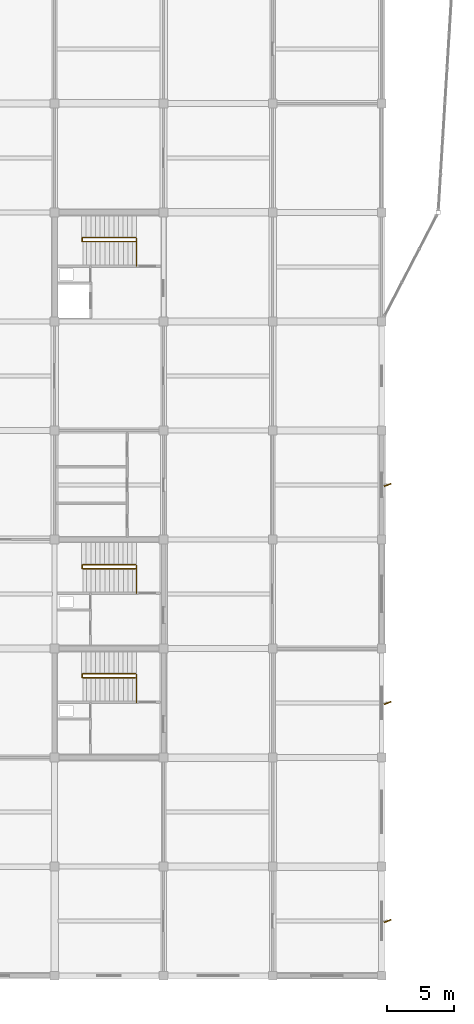
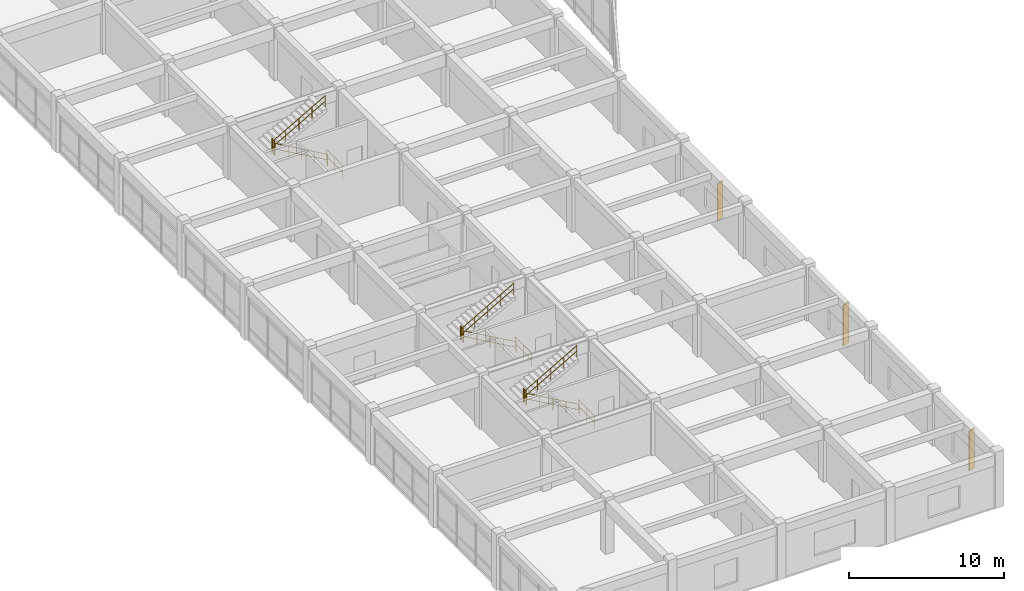
# One storey, part 39 of 40: 12 railings, 3 shading devices.
"""IFC4 building model written with IfcOpenShell, lengths in metres."""

from ifc_helpers import new_model, si_unit, direction, frame, origin, origin_2d, place, context, subcontext, project, spatial, rectangle, circle, extrude, material, type_object, element, save


model = new_model("IFC4")

# Units and contexts
model_context = context("Model", 3, precision=1e-05, world=origin(), true_north=direction((0.0, 1.0)))
body_context = subcontext(model_context, "Body", "Model", "MODEL_VIEW")
ifc_project = project(units=[si_unit("LENGTHUNIT", "METRE"), si_unit("AREAUNIT", "SQUARE_METRE"), si_unit("VOLUMEUNIT", "CUBIC_METRE"), si_unit("PLANEANGLEUNIT", "RADIAN"), si_unit("MASSUNIT", "GRAM", prefix="KILO")], contexts=[model_context])

# Site, building, storey
site_placement = place(None, origin())
site = spatial("IfcSite", under=ifc_project, at=site_placement, CompositionType="ELEMENT")
building_placement = place(site_placement, origin())
building = spatial("IfcBuilding", under=site, at=building_placement, Name="Vaudrelin Polytechnic", CompositionType="ELEMENT")
storey_placement = place(building_placement, frame((0.0, 0.0, 22.949951171875)))
storey = spatial("IfcBuildingStorey", under=building, at=storey_placement, Name="L05", CompositionType="ELEMENT", Elevation=22.949951171875)

# Shading devices
ifc_material_1 = material(Name="Anodised perforated aluminium AA 5005", Category="aluminium")
shading_device_type = type_object("IfcShadingDeviceType", Name="ENV-SF-FIN1", PredefinedType="USERDEFINED", material=ifc_material_1)
shading_device_1_placement = place(storey_placement, frame((170.534912109375, 20.25, 0.2001953125), z_axis=(0.0, 0.0, 1.0), x_axis=(0.927183854567, 0.374606593416, 0.0)))
element("IfcShadingDevice", 1, at=shading_device_1_placement, inside=storey, type_object=shading_device_type, Name="Perforated solar fin SF-042", ObjectType="SOLAR FIN", PredefinedType="USERDEFINED", context=body_context, shape_type="SweptSolid", body=[
    extrude(rectangle(XDim=0.550048828125, YDim=0.080078125, at=origin_2d()), origin(), (0.0, 0.0, 1.0), 3.112060546875),
])
shading_device_2_placement = place(storey_placement, frame((170.534912109375, 36.449951171875, 0.2001953125), z_axis=(0.0, 0.0, 1.0), x_axis=(0.927183854567, 0.374606593416, 0.0)))
element("IfcShadingDevice", 2, at=shading_device_2_placement, inside=storey, type_object=shading_device_type, Name="Perforated solar fin SF-043", ObjectType="SOLAR FIN", PredefinedType="USERDEFINED", context=body_context, shape_type="SweptSolid", body=[
    extrude(rectangle(XDim=0.550048828125, YDim=0.080078125, at=origin_2d()), origin(), (0.0, 0.0, 1.0), 3.199951171875),
])
shading_device_3_placement = place(storey_placement, frame((170.534912109375, 52.64990234375, 0.199951171875), z_axis=(0.0, 0.0, 1.0), x_axis=(0.927183854567, 0.374606593416, 0.0)))
element("IfcShadingDevice", 3, at=shading_device_3_placement, inside=storey, type_object=shading_device_type, Name="Perforated solar fin SF-044", ObjectType="SOLAR FIN", PredefinedType="USERDEFINED", context=body_context, shape_type="SweptSolid", body=[
    extrude(rectangle(XDim=0.550048828125, YDim=0.080078125, at=origin_2d()), origin(), (0.0, 0.0, 1.0), 2.912109375),
])

# Railings
ifc_material_2 = material(Name="Brushed stainless steel AISI 304", Category="steel")
railing_type_1 = type_object("IfcRailingType", Name="RAL-GR-INT", PredefinedType="GUARDRAIL", material=ifc_material_2)
railing_1_placement = place(storey_placement, frame((151.8798828125, 68.909912109375, 0.0)))
element("IfcRailing", 4, at=railing_1_placement, inside=storey, type_object=railing_type_1, Name="ST-07-L04 upper well guardrail", PredefinedType="GUARDRAIL", context=body_context, shape_type="SweptSolid", body=[
    extrude(circle(Radius=0.02392578125, at=origin_2d()), frame((0.0, 0.023193359375, 1.09619140625), z_axis=(0.0, 1.0, 0.0), x_axis=(-1.0, 0.0, 0.0)), (0.0, 0.0, 1.0), 2.02392578125),
    extrude(circle(Radius=0.02392578125, at=origin_2d()), frame((0.0, 0.023193359375, 0.56005859375), z_axis=(0.0, 1.0, 0.0), x_axis=(-1.0, 0.0, 0.0)), (0.0, 0.0, 1.0), 2.02392578125),
    extrude(circle(Radius=0.02099609375, at=origin_2d()), origin(), (0.0, 0.0, 1.0), 1.1201171875),
    extrude(circle(Radius=0.02099609375, at=origin_2d()), frame((0.0, 1.03515625, 0.0)), (0.0, 0.0, 1.0), 1.1201171875),
    extrude(circle(Radius=0.02099609375, at=origin_2d()), frame((0.0, 2.070068359375, 0.0)), (0.0, 0.0, 1.0), 1.1201171875),
])
railing_2_placement = place(storey_placement, frame((147.85009765625, 70.739990234375, 2.2099609375)))
element("IfcRailing", 5, at=railing_2_placement, inside=storey, type_object=railing_type_1, Name="ST-07-L05 landing well guardrail", PredefinedType="GUARDRAIL", context=body_context, shape_type="SweptSolid", body=[
    extrude(circle(Radius=0.02392578125, at=origin_2d()), frame((0.0, 0.023193359375, 1.09619140625), z_axis=(0.0, 1.0, 0.0), x_axis=(-1.0, 0.0, 0.0)), (0.0, 0.0, 1.0), 0.23388671875),
    extrude(circle(Radius=0.02392578125, at=origin_2d()), frame((0.0, 0.023193359375, 0.56005859375), z_axis=(0.0, 1.0, 0.0), x_axis=(-1.0, 0.0, 0.0)), (0.0, 0.0, 1.0), 0.23388671875),
    extrude(circle(Radius=0.02099609375, at=origin_2d()), origin(), (0.0, 0.0, 1.0), 1.1201171875),
    extrude(circle(Radius=0.02099609375, at=origin_2d()), frame((0.0, 0.280029296875, 0.0)), (0.0, 0.0, 1.0), 1.1201171875),
])
railing_3_placement = place(storey_placement, frame((151.8798828125, 36.510009765625, 0.0)))
element("IfcRailing", 6, at=railing_3_placement, inside=storey, type_object=railing_type_1, Name="ST-08-L04 upper well guardrail", PredefinedType="GUARDRAIL", context=body_context, shape_type="SweptSolid", body=[
    extrude(circle(Radius=0.02392578125, at=origin_2d()), frame((0.0, 0.023193359375, 1.09619140625), z_axis=(0.0, 1.0, 0.0), x_axis=(-1.0, 0.0, 0.0)), (0.0, 0.0, 1.0), 2.02392578125),
    extrude(circle(Radius=0.02392578125, at=origin_2d()), frame((0.0, 0.023193359375, 0.56005859375), z_axis=(0.0, 1.0, 0.0), x_axis=(-1.0, 0.0, 0.0)), (0.0, 0.0, 1.0), 2.02392578125),
    extrude(circle(Radius=0.02099609375, at=origin_2d()), origin(), (0.0, 0.0, 1.0), 1.1201171875),
    extrude(circle(Radius=0.02099609375, at=origin_2d()), frame((0.0, 1.03515625, 0.0)), (0.0, 0.0, 1.0), 1.1201171875),
    extrude(circle(Radius=0.02099609375, at=origin_2d()), frame((0.0, 2.070068359375, 0.0)), (0.0, 0.0, 1.0), 1.1201171875),
])
railing_4_placement = place(storey_placement, frame((147.85009765625, 38.340087890625, 2.2099609375)))
element("IfcRailing", 7, at=railing_4_placement, inside=storey, type_object=railing_type_1, Name="ST-08-L05 landing well guardrail", PredefinedType="GUARDRAIL", context=body_context, shape_type="SweptSolid", body=[
    extrude(circle(Radius=0.02392578125, at=origin_2d()), frame((0.0, 0.023193359375, 1.09619140625), z_axis=(0.0, 1.0, 0.0), x_axis=(-1.0, 0.0, 0.0)), (0.0, 0.0, 1.0), 0.23388671875),
    extrude(circle(Radius=0.02392578125, at=origin_2d()), frame((0.0, 0.023193359375, 0.56005859375), z_axis=(0.0, 1.0, 0.0), x_axis=(-1.0, 0.0, 0.0)), (0.0, 0.0, 1.0), 0.23388671875),
    extrude(circle(Radius=0.02099609375, at=origin_2d()), origin(), (0.0, 0.0, 1.0), 1.1201171875),
    extrude(circle(Radius=0.02099609375, at=origin_2d()), frame((0.0, 0.280029296875, 0.0)), (0.0, 0.0, 1.0), 1.1201171875),
])
railing_5_placement = place(storey_placement, frame((151.8798828125, 44.610107421875, 0.0)))
element("IfcRailing", 8, at=railing_5_placement, inside=storey, type_object=railing_type_1, Name="ST-12-L04 upper well guardrail", PredefinedType="GUARDRAIL", context=body_context, shape_type="SweptSolid", body=[
    extrude(circle(Radius=0.02392578125, at=origin_2d()), frame((0.0, 0.023193359375, 1.09619140625), z_axis=(0.0, 1.0, 0.0), x_axis=(-1.0, 0.0, 0.0)), (0.0, 0.0, 1.0), 2.023681640625),
    extrude(circle(Radius=0.02392578125, at=origin_2d()), frame((0.0, 0.023193359375, 0.56005859375), z_axis=(0.0, 1.0, 0.0), x_axis=(-1.0, 0.0, 0.0)), (0.0, 0.0, 1.0), 2.023681640625),
    extrude(circle(Radius=0.02099609375, at=origin_2d()), origin(), (0.0, 0.0, 1.0), 1.1201171875),
    extrude(circle(Radius=0.02099609375, at=origin_2d()), frame((0.0, 1.034912109375, 0.0)), (0.0, 0.0, 1.0), 1.1201171875),
    extrude(circle(Radius=0.02099609375, at=origin_2d()), frame((0.0, 2.06982421875, 0.0)), (0.0, 0.0, 1.0), 1.1201171875),
])
railing_6_placement = place(storey_placement, frame((147.85009765625, 46.43994140625, 2.2099609375)))
element("IfcRailing", 9, at=railing_6_placement, inside=storey, type_object=railing_type_1, Name="ST-12-L05 landing well guardrail", PredefinedType="GUARDRAIL", context=body_context, shape_type="SweptSolid", body=[
    extrude(circle(Radius=0.02392578125, at=origin_2d()), frame((0.0, 0.023193359375, 1.09619140625), z_axis=(0.0, 1.0, 0.0), x_axis=(-1.0, 0.0, 0.0)), (0.0, 0.0, 1.0), 0.23388671875),
    extrude(circle(Radius=0.02392578125, at=origin_2d()), frame((0.0, 0.023193359375, 0.56005859375), z_axis=(0.0, 1.0, 0.0), x_axis=(-1.0, 0.0, 0.0)), (0.0, 0.0, 1.0), 0.23388671875),
    extrude(circle(Radius=0.02099609375, at=origin_2d()), origin(), (0.0, 0.0, 1.0), 1.1201171875),
    extrude(circle(Radius=0.02099609375, at=origin_2d()), frame((0.0, 0.280029296875, 0.0)), (0.0, 0.0, 1.0), 1.1201171875),
])
railing_type_2 = type_object("IfcRailingType", Name="RAL-HR-STR", PredefinedType="HANDRAIL", material=ifc_material_2)
railing_7_placement = place(storey_placement, frame((151.800048828125, 70.72998046875, 0.0)))
element("IfcRailing", 10, at=railing_7_placement, inside=storey, type_object=railing_type_2, Name="ST-07-L05 flight 1 handrail", PredefinedType="HANDRAIL", context=body_context, shape_type="SweptSolid", body=[
    extrude(circle(Radius=0.02392578125, at=origin_2d()), frame((-0.02001953125, 0.0, 0.9072265625), z_axis=(-0.869489581884, 0.0, 0.493951279981), x_axis=(0.0, -1.0, 0.0)), (0.0, 0.0, 1.0), 4.427734375),
    extrude(circle(Radius=0.02392578125, at=origin_2d()), frame((-0.02001953125, 0.0, 0.471435546875), z_axis=(-0.869489581884, 0.0, 0.493951279981), x_axis=(0.0, -1.0, 0.0)), (0.0, 0.0, 1.0), 4.427734375),
    extrude(circle(Radius=0.02099609375, at=origin_2d()), origin(), (0.0, 0.0, 1.0), 0.919921875),
    extrude(circle(Radius=0.02099609375, at=origin_2d()), frame((-0.97265625, 0.0, 0.552490234375)), (0.0, 0.0, 1.0), 0.919921875),
    extrude(circle(Radius=0.02099609375, at=origin_2d()), frame((-1.945068359375, 0.0, 1.10498046875)), (0.0, 0.0, 1.0), 0.919921875),
    extrude(circle(Radius=0.02099609375, at=origin_2d()), frame((-2.91748046875, 0.0, 1.657470703125)), (0.0, 0.0, 1.0), 0.919921875),
    extrude(circle(Radius=0.02099609375, at=origin_2d()), frame((-3.89013671875, 0.0, 2.2099609375)), (0.0, 0.0, 1.0), 0.919921875),
])
railing_8_placement = place(storey_placement, frame((147.909912109375, 71.030029296875, 2.2099609375)))
element("IfcRailing", 11, at=railing_8_placement, inside=storey, type_object=railing_type_2, Name="ST-07-L05 flight 2 handrail", PredefinedType="HANDRAIL", context=body_context, shape_type="SweptSolid", body=[
    extrude(circle(Radius=0.02392578125, at=origin_2d()), frame((0.02001953125, 0.0, 0.9072265625), z_axis=(0.86946614529, 0.0, 0.493992532529), x_axis=(0.0, 1.0, 0.0)), (0.0, 0.0, 1.0), 4.427978515625),
    extrude(circle(Radius=0.02392578125, at=origin_2d()), frame((0.02001953125, 0.0, 0.471435546875), z_axis=(0.86946614529, 0.0, 0.493992532529), x_axis=(0.0, 1.0, 0.0)), (0.0, 0.0, 1.0), 4.427978515625),
    extrude(circle(Radius=0.02099609375, at=origin_2d()), origin(), (0.0, 0.0, 1.0), 0.919921875),
    extrude(circle(Radius=0.02099609375, at=origin_2d()), frame((0.97265625, 0.0, 0.552490234375)), (0.0, 0.0, 1.0), 0.919921875),
    extrude(circle(Radius=0.02099609375, at=origin_2d()), frame((1.945068359375, 0.0, 1.10498046875)), (0.0, 0.0, 1.0), 0.919921875),
    extrude(circle(Radius=0.02099609375, at=origin_2d()), frame((2.91748046875, 0.0, 1.65771484375)), (0.0, 0.0, 1.0), 0.919921875),
    extrude(circle(Radius=0.02099609375, at=origin_2d()), frame((3.89013671875, 0.0, 2.210205078125)), (0.0, 0.0, 1.0), 0.919921875),
])
railing_9_placement = place(storey_placement, frame((151.800048828125, 38.330078125, 0.0)))
element("IfcRailing", 12, at=railing_9_placement, inside=storey, type_object=railing_type_2, Name="ST-08-L05 flight 1 handrail", PredefinedType="HANDRAIL", context=body_context, shape_type="SweptSolid", body=[
    extrude(circle(Radius=0.02392578125, at=origin_2d()), frame((-0.02001953125, 0.0, 0.9072265625), z_axis=(-0.869489581884, 0.0, 0.493951279981), x_axis=(0.0, -1.0, 0.0)), (0.0, 0.0, 1.0), 4.427734375),
    extrude(circle(Radius=0.02392578125, at=origin_2d()), frame((-0.02001953125, 0.0, 0.471435546875), z_axis=(-0.869489581884, 0.0, 0.493951279981), x_axis=(0.0, -1.0, 0.0)), (0.0, 0.0, 1.0), 4.427734375),
    extrude(circle(Radius=0.02099609375, at=origin_2d()), origin(), (0.0, 0.0, 1.0), 0.919921875),
    extrude(circle(Radius=0.02099609375, at=origin_2d()), frame((-0.97265625, 0.0, 0.552490234375)), (0.0, 0.0, 1.0), 0.919921875),
    extrude(circle(Radius=0.02099609375, at=origin_2d()), frame((-1.945068359375, 0.0, 1.10498046875)), (0.0, 0.0, 1.0), 0.919921875),
    extrude(circle(Radius=0.02099609375, at=origin_2d()), frame((-2.91748046875, 0.0, 1.657470703125)), (0.0, 0.0, 1.0), 0.919921875),
    extrude(circle(Radius=0.02099609375, at=origin_2d()), frame((-3.89013671875, 0.0, 2.2099609375)), (0.0, 0.0, 1.0), 0.919921875),
])
railing_10_placement = place(storey_placement, frame((147.909912109375, 38.6298828125, 2.2099609375)))
element("IfcRailing", 13, at=railing_10_placement, inside=storey, type_object=railing_type_2, Name="ST-08-L05 flight 2 handrail", PredefinedType="HANDRAIL", context=body_context, shape_type="SweptSolid", body=[
    extrude(circle(Radius=0.02392578125, at=origin_2d()), frame((0.02001953125, 0.0, 0.9072265625), z_axis=(0.86946614529, 0.0, 0.493992532529), x_axis=(0.0, 1.0, 0.0)), (0.0, 0.0, 1.0), 4.427978515625),
    extrude(circle(Radius=0.02392578125, at=origin_2d()), frame((0.02001953125, 0.0, 0.471435546875), z_axis=(0.86946614529, 0.0, 0.493992532529), x_axis=(0.0, 1.0, 0.0)), (0.0, 0.0, 1.0), 4.427978515625),
    extrude(circle(Radius=0.02099609375, at=origin_2d()), origin(), (0.0, 0.0, 1.0), 0.919921875),
    extrude(circle(Radius=0.02099609375, at=origin_2d()), frame((0.97265625, 0.0, 0.552490234375)), (0.0, 0.0, 1.0), 0.919921875),
    extrude(circle(Radius=0.02099609375, at=origin_2d()), frame((1.945068359375, 0.0, 1.10498046875)), (0.0, 0.0, 1.0), 0.919921875),
    extrude(circle(Radius=0.02099609375, at=origin_2d()), frame((2.91748046875, 0.0, 1.65771484375)), (0.0, 0.0, 1.0), 0.919921875),
    extrude(circle(Radius=0.02099609375, at=origin_2d()), frame((3.89013671875, 0.0, 2.210205078125)), (0.0, 0.0, 1.0), 0.919921875),
])
railing_11_placement = place(storey_placement, frame((151.800048828125, 46.429931640625, 0.0)))
element("IfcRailing", 14, at=railing_11_placement, inside=storey, type_object=railing_type_2, Name="ST-12-L05 flight 1 handrail", PredefinedType="HANDRAIL", context=body_context, shape_type="SweptSolid", body=[
    extrude(circle(Radius=0.02392578125, at=origin_2d()), frame((-0.02001953125, 0.0, 0.9072265625), z_axis=(-0.869489581884, 0.0, 0.493951279981), x_axis=(0.0, -1.0, 0.0)), (0.0, 0.0, 1.0), 4.427734375),
    extrude(circle(Radius=0.02392578125, at=origin_2d()), frame((-0.02001953125, 0.0, 0.471435546875), z_axis=(-0.869489581884, 0.0, 0.493951279981), x_axis=(0.0, -1.0, 0.0)), (0.0, 0.0, 1.0), 4.427734375),
    extrude(circle(Radius=0.02099609375, at=origin_2d()), origin(), (0.0, 0.0, 1.0), 0.919921875),
    extrude(circle(Radius=0.02099609375, at=origin_2d()), frame((-0.97265625, 0.0, 0.552490234375)), (0.0, 0.0, 1.0), 0.919921875),
    extrude(circle(Radius=0.02099609375, at=origin_2d()), frame((-1.945068359375, 0.0, 1.10498046875)), (0.0, 0.0, 1.0), 0.919921875),
    extrude(circle(Radius=0.02099609375, at=origin_2d()), frame((-2.91748046875, 0.0, 1.657470703125)), (0.0, 0.0, 1.0), 0.919921875),
    extrude(circle(Radius=0.02099609375, at=origin_2d()), frame((-3.89013671875, 0.0, 2.2099609375)), (0.0, 0.0, 1.0), 0.919921875),
])
railing_12_placement = place(storey_placement, frame((147.909912109375, 46.72998046875, 2.2099609375)))
element("IfcRailing", 15, at=railing_12_placement, inside=storey, type_object=railing_type_2, Name="ST-12-L05 flight 2 handrail", PredefinedType="HANDRAIL", context=body_context, shape_type="SweptSolid", body=[
    extrude(circle(Radius=0.02392578125, at=origin_2d()), frame((0.02001953125, 0.0, 0.9072265625), z_axis=(0.86946614529, 0.0, 0.493992532529), x_axis=(0.0, 1.0, 0.0)), (0.0, 0.0, 1.0), 4.427978515625),
    extrude(circle(Radius=0.02392578125, at=origin_2d()), frame((0.02001953125, 0.0, 0.471435546875), z_axis=(0.86946614529, 0.0, 0.493992532529), x_axis=(0.0, 1.0, 0.0)), (0.0, 0.0, 1.0), 4.427978515625),
    extrude(circle(Radius=0.02099609375, at=origin_2d()), origin(), (0.0, 0.0, 1.0), 0.919921875),
    extrude(circle(Radius=0.02099609375, at=origin_2d()), frame((0.97265625, 0.0, 0.552490234375)), (0.0, 0.0, 1.0), 0.919921875),
    extrude(circle(Radius=0.02099609375, at=origin_2d()), frame((1.945068359375, 0.0, 1.10498046875)), (0.0, 0.0, 1.0), 0.919921875),
    extrude(circle(Radius=0.02099609375, at=origin_2d()), frame((2.91748046875, 0.0, 1.65771484375)), (0.0, 0.0, 1.0), 0.919921875),
    extrude(circle(Radius=0.02099609375, at=origin_2d()), frame((3.89013671875, 0.0, 2.210205078125)), (0.0, 0.0, 1.0), 0.919921875),
])

save(model, "model.ifc")
